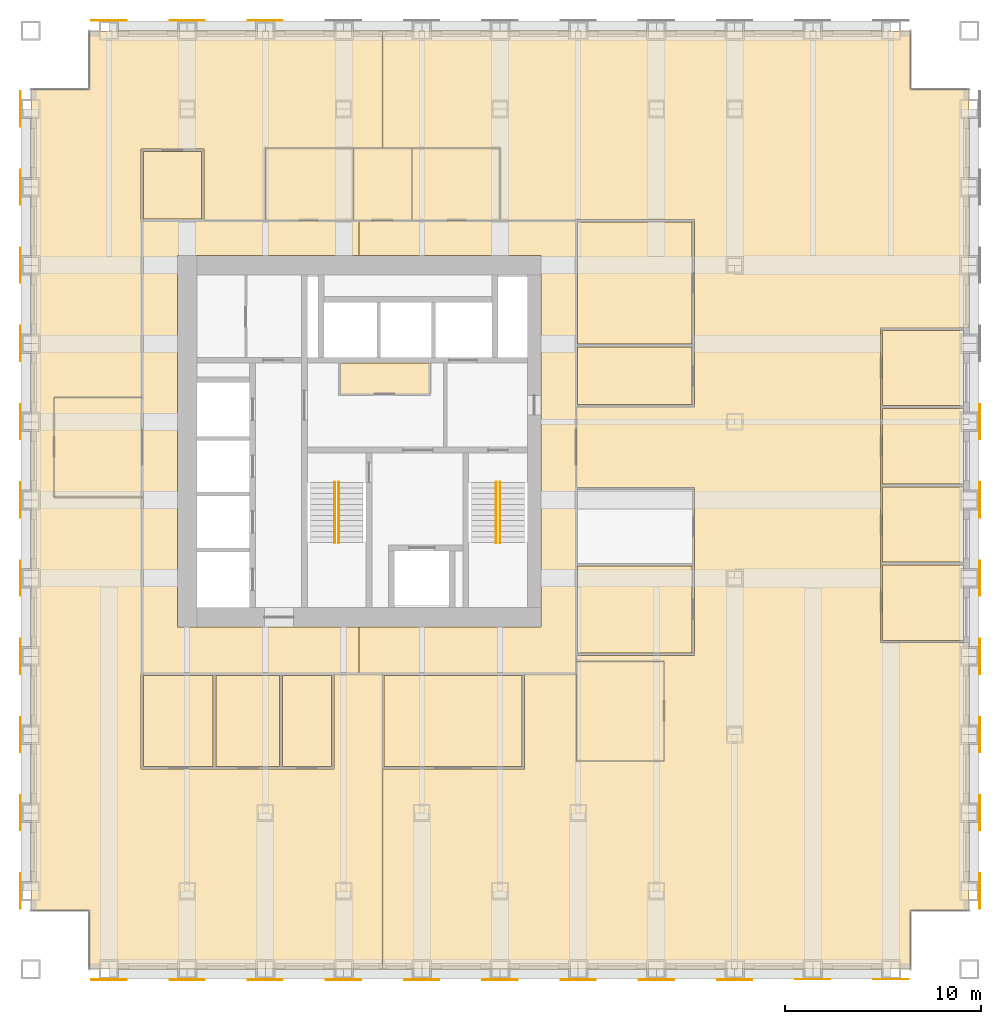
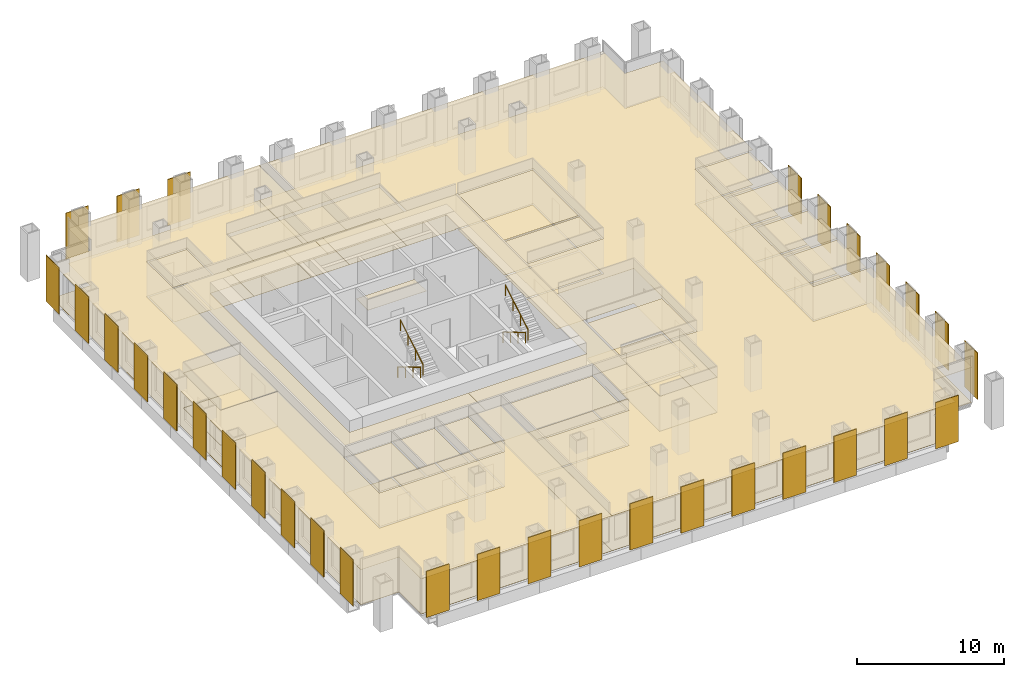
# One storey, part 15 of 16: 41 coverings, 32 shading devices, 4 railings.
"""IFC4 building model written with IfcOpenShell, lengths in metres."""

from ifc_helpers import new_model, si_unit, direction, frame, origin, origin_2d, place, context, subcontext, project, spatial, polyline, rectangle, circle, outline, extrude, material, layer, layer_set, type_object, element, save


model = new_model("IFC4")

# Units and contexts
model_context = context("Model", 3, precision=1e-05, world=origin(), true_north=direction((0.0, 1.0)))
body_context = subcontext(model_context, "Body", "Model", "MODEL_VIEW")
ifc_project = project(units=[si_unit("LENGTHUNIT", "METRE"), si_unit("AREAUNIT", "SQUARE_METRE"), si_unit("VOLUMEUNIT", "CUBIC_METRE"), si_unit("PLANEANGLEUNIT", "RADIAN"), si_unit("MASSUNIT", "GRAM", prefix="KILO")], contexts=[model_context])

# Site, building, storey
site_placement = place(None, origin())
site = spatial("IfcSite", under=ifc_project, at=site_placement, CompositionType="ELEMENT")
building_placement = place(site_placement, origin())
building = spatial("IfcBuilding", under=site, at=building_placement, Name="Rimbunsela Tower", CompositionType="ELEMENT")
storey_placement = place(building_placement, frame((0.0, 0.0, 81.39990234375)))
storey = spatial("IfcBuildingStorey", under=building, at=storey_placement, Name="L19", CompositionType="ELEMENT", Elevation=81.39990234375)

# Coverings
ifc_material_1 = material(Name="Nylon carpet tile", Category="textile")
ifc_layer_1 = layer(ifc_material_1, 0.010009765625)
ifc_layer_set_1 = layer_set([ifc_layer_1], Name="Carpet tile 10")
covering_type_1 = type_object("IfcCoveringType", Name="Carpet tile 10", PredefinedType="FLOORING", material=ifc_layer_set_1)
covering_1_placement = place(storey_placement, origin())
element("IfcCovering", 1, at=covering_1_placement, inside=storey, type_object=covering_type_1, Name="Floor finish Open office", PredefinedType="FLOORING", context=body_context, shape_type="SweptSolid", body=[
    extrude(outline(polyline([(19.449951171875, 10.25), (22.75, 10.25), (22.85009765625, 10.25), (25.5, 10.25), (25.5, 15.10009765625), (27.9990234375, 15.10009765625), (27.9990234375, 0.0), (15.699951171875, 0.0), (13.0, 0.0), (13.0, 3.0), (10.0, 3.0), (10.0, 45.0), (13.0, 45.0), (13.0, 48.0), (15.699951171875, 48.0), (27.9990234375, 48.0), (27.9990234375, 42.0), (22.0, 42.0), (22.0, 38.300048828125), (18.85009765625, 38.300048828125), (18.85009765625, 41.949951171875), (15.699951171875, 41.949951171875), (15.64990234375, 41.949951171875), (15.64990234375, 38.25), (15.699951171875, 38.25), (15.699951171875, 29.25), (11.199951171875, 29.25), (11.199951171875, 24.14990234375), (15.699951171875, 24.14990234375), (15.699951171875, 15.14990234375), (15.64990234375, 15.14990234375), (15.64990234375, 10.25), (15.699951171875, 10.25), (19.35009765625, 10.25), (19.449951171875, 10.25)])), origin(), (0.0, 0.0, 1.0), 0.010009765625),
])
covering_2_placement = place(storey_placement, origin())
element("IfcCovering", 2, at=covering_2_placement, inside=storey, type_object=covering_type_1, Name="Floor finish Open office", PredefinedType="FLOORING", context=body_context, shape_type="SweptSolid", body=[
    extrude(outline(polyline([(37.89990234375, 10.64990234375), (42.39990234375, 10.64990234375), (42.39990234375, 15.75), (37.89990234375, 15.75), (37.89990234375, 16.050048828125), (43.949951171875, 16.050048828125), (43.949951171875, 20.64990234375), (43.949951171875, 20.75), (43.949951171875, 24.64990234375), (37.89990234375, 24.64990234375), (37.89990234375, 28.75), (43.949951171875, 28.75), (43.949951171875, 31.85009765625), (43.949951171875, 31.949951171875), (43.949951171875, 38.35009765625), (37.89990234375, 38.35009765625), (37.85009765625, 38.35009765625), (37.85009765625, 38.300048828125), (34.0, 38.300048828125), (34.0, 42.0), (28.0009765625, 42.0), (28.0009765625, 48.0), (37.89990234375, 48.0), (55.0, 48.0), (55.0, 45.0), (58.0, 45.0), (58.0, 32.800048828125), (53.449951171875, 32.800048828125), (53.449951171875, 28.800048828125), (53.449951171875, 28.699951171875), (53.449951171875, 24.800048828125), (53.449951171875, 24.699951171875), (53.449951171875, 20.800048828125), (53.449951171875, 20.699951171875), (53.449951171875, 16.699951171875), (58.0, 16.699951171875), (58.0, 3.0), (55.0, 3.0), (55.0, 0.0), (37.89990234375, 0.0), (28.0009765625, 0.0), (28.0009765625, 10.25), (35.2509765625, 10.25), (35.2509765625, 15.10009765625), (37.89990234375, 15.10009765625), (37.89990234375, 10.64990234375)])), origin(), (0.0, 0.0, 1.0), 0.010009765625),
])
covering_3_placement = place(storey_placement, origin())
element("IfcCovering", 3, at=covering_3_placement, inside=storey, type_object=covering_type_1, Name="Floor finish Reception", PredefinedType="FLOORING", context=body_context, shape_type="SweptSolid", body=[
    extrude(outline(polyline([(15.699951171875, 24.14990234375), (15.699951171875, 29.25), (11.199951171875, 29.25), (11.199951171875, 24.14990234375), (15.699951171875, 24.14990234375)])), origin(), (0.0, 0.0, 1.0), 0.010009765625),
])
covering_4_placement = place(storey_placement, origin())
element("IfcCovering", 4, at=covering_4_placement, inside=storey, type_object=covering_type_1, Name="Floor finish Reception", PredefinedType="FLOORING", context=body_context, shape_type="SweptSolid", body=[
    extrude(outline(polyline([(42.39990234375, 10.64990234375), (42.39990234375, 15.75), (37.89990234375, 15.75), (37.89990234375, 10.64990234375), (42.39990234375, 10.64990234375)])), origin(), (0.0, 0.0, 1.0), 0.010009765625),
])
covering_5_placement = place(storey_placement, origin())
element("IfcCovering", 5, at=covering_5_placement, inside=storey, type_object=covering_type_1, Name="Floor finish Executive office", PredefinedType="FLOORING", context=body_context, shape_type="SweptSolid", body=[
    extrude(outline(polyline([(57.699951171875, 16.824951171875), (57.699951171875, 20.675048828125), (53.574951171875, 20.675048828125), (53.574951171875, 16.824951171875), (57.699951171875, 16.824951171875)])), origin(), (0.0, 0.0, 1.0), 0.010009765625),
])
covering_6_placement = place(storey_placement, origin())
element("IfcCovering", 6, at=covering_6_placement, inside=storey, type_object=covering_type_1, Name="Floor finish Executive office", PredefinedType="FLOORING", context=body_context, shape_type="SweptSolid", body=[
    extrude(outline(polyline([(57.699951171875, 20.824951171875), (57.699951171875, 24.675048828125), (53.574951171875, 24.675048828125), (53.574951171875, 20.824951171875), (57.699951171875, 20.824951171875)])), origin(), (0.0, 0.0, 1.0), 0.010009765625),
])
covering_7_placement = place(storey_placement, origin())
element("IfcCovering", 7, at=covering_7_placement, inside=storey, type_object=covering_type_1, Name="Floor finish Executive office", PredefinedType="FLOORING", context=body_context, shape_type="SweptSolid", body=[
    extrude(outline(polyline([(57.699951171875, 24.824951171875), (57.699951171875, 28.675048828125), (53.574951171875, 28.675048828125), (53.574951171875, 24.824951171875), (57.699951171875, 24.824951171875)])), origin(), (0.0, 0.0, 1.0), 0.010009765625),
])
covering_8_placement = place(storey_placement, origin())
element("IfcCovering", 8, at=covering_8_placement, inside=storey, type_object=covering_type_1, Name="Floor finish Executive office", PredefinedType="FLOORING", context=body_context, shape_type="SweptSolid", body=[
    extrude(outline(polyline([(57.699951171875, 28.824951171875), (57.699951171875, 32.675048828125), (53.574951171875, 32.675048828125), (53.574951171875, 28.824951171875), (57.699951171875, 28.824951171875)])), origin(), (0.0, 0.0, 1.0), 0.010009765625),
])
covering_9_placement = place(storey_placement, origin())
element("IfcCovering", 9, at=covering_9_placement, inside=storey, type_object=covering_type_1, Name="Floor finish Meeting room", PredefinedType="FLOORING", context=body_context, shape_type="SweptSolid", body=[
    extrude(outline(polyline([(19.324951171875, 10.375), (19.324951171875, 15.02490234375), (15.77490234375, 15.02490234375), (15.77490234375, 10.375), (19.324951171875, 10.375)])), origin(), (0.0, 0.0, 1.0), 0.010009765625),
])
covering_10_placement = place(storey_placement, origin())
element("IfcCovering", 10, at=covering_10_placement, inside=storey, type_object=covering_type_1, Name="Floor finish Pantry", PredefinedType="FLOORING", context=body_context, shape_type="SweptSolid", body=[
    extrude(outline(polyline([(22.72509765625, 10.375), (22.72509765625, 15.02490234375), (19.47509765625, 15.02490234375), (19.47509765625, 10.375), (22.72509765625, 10.375)])), origin(), (0.0, 0.0, 1.0), 0.010009765625),
])
covering_11_placement = place(storey_placement, origin())
element("IfcCovering", 11, at=covering_11_placement, inside=storey, type_object=covering_type_1, Name="Floor finish Print and copy room", PredefinedType="FLOORING", context=body_context, shape_type="SweptSolid", body=[
    extrude(outline(polyline([(25.375, 10.375), (25.375, 15.02490234375), (22.875, 15.02490234375), (22.875, 10.375), (25.375, 10.375)])), origin(), (0.0, 0.0, 1.0), 0.010009765625),
])
covering_12_placement = place(storey_placement, origin())
element("IfcCovering", 12, at=covering_12_placement, inside=storey, type_object=covering_type_1, Name="Floor finish Office", PredefinedType="FLOORING", context=body_context, shape_type="SweptSolid", body=[
    extrude(outline(polyline([(18.72509765625, 38.375), (18.72509765625, 41.824951171875), (15.77490234375, 41.824951171875), (15.77490234375, 38.375), (18.72509765625, 38.375)])), origin(), (0.0, 0.0, 1.0), 0.010009765625),
])
covering_13_placement = place(storey_placement, origin())
element("IfcCovering", 13, at=covering_13_placement, inside=storey, type_object=covering_type_1, Name="Floor finish Boardroom", PredefinedType="FLOORING", context=body_context, shape_type="SweptSolid", body=[
    extrude(outline(polyline([(35.1259765625, 10.375), (35.1259765625, 15.02490234375), (28.075927734375, 15.02490234375), (28.075927734375, 10.375), (35.1259765625, 10.375)])), origin(), (0.0, 0.0, 1.0), 0.010009765625),
])
covering_14_placement = place(storey_placement, origin())
element("IfcCovering", 14, at=covering_14_placement, inside=storey, type_object=covering_type_1, Name="Floor finish Pantry", PredefinedType="FLOORING", context=body_context, shape_type="SweptSolid", body=[
    extrude(outline(polyline([(43.824951171875, 16.175048828125), (43.824951171875, 20.625), (37.97509765625, 20.625), (37.97509765625, 16.175048828125), (43.824951171875, 16.175048828125)])), origin(), (0.0, 0.0, 1.0), 0.010009765625),
])
covering_15_placement = place(storey_placement, origin())
element("IfcCovering", 15, at=covering_15_placement, inside=storey, type_object=covering_type_1, Name="Floor finish Office", PredefinedType="FLOORING", context=body_context, shape_type="SweptSolid", body=[
    extrude(outline(polyline([(43.824951171875, 28.875), (43.824951171875, 31.824951171875), (37.97509765625, 31.824951171875), (37.97509765625, 28.875), (43.824951171875, 28.875)])), origin(), (0.0, 0.0, 1.0), 0.010009765625),
])
covering_16_placement = place(storey_placement, origin())
element("IfcCovering", 16, at=covering_16_placement, inside=storey, type_object=covering_type_1, Name="Floor finish Meeting room", PredefinedType="FLOORING", context=body_context, shape_type="SweptSolid", body=[
    extrude(outline(polyline([(43.824951171875, 31.97509765625), (43.824951171875, 38.22509765625), (37.97509765625, 38.22509765625), (37.97509765625, 31.97509765625), (43.824951171875, 31.97509765625)])), origin(), (0.0, 0.0, 1.0), 0.010009765625),
])
ifc_material_2 = material(Name="Mineral fibre ceiling tile", Category="gypsum")
ifc_layer_2 = layer(ifc_material_2, 0.02001953125)
ifc_layer_set_2 = layer_set([ifc_layer_2], Name="Ceiling 600 grid")
covering_type_2 = type_object("IfcCoveringType", Name="Ceiling 600 grid", PredefinedType="CEILING", material=ifc_layer_set_2)
covering_17_placement = place(storey_placement, frame((0.0, 0.0, 2.900146484375)))
element("IfcCovering", 17, at=covering_17_placement, inside=storey, type_object=covering_type_2, Name="Ceiling Staff pantry", PredefinedType="CEILING", context=body_context, shape_type="SweptSolid", body=[
    extrude(outline(polyline([(30.39990234375, 29.39990234375), (30.39990234375, 31.0), (25.800048828125, 31.0), (25.800048828125, 29.39990234375), (30.39990234375, 29.39990234375)])), origin(), (0.0, 0.0, 1.0), 0.02001953125),
])
covering_18_placement = place(storey_placement, frame((0.0, 0.0, 2.900146484375)))
element("IfcCovering", 18, at=covering_18_placement, inside=storey, type_object=covering_type_2, Name="Ceiling Ring corridor", PredefinedType="CEILING", context=body_context, shape_type="SweptSolid", body=[
    extrude(outline(polyline([(15.699951171875, 38.300048828125), (26.800048828125, 38.300048828125), (26.800048828125, 36.5), (17.5, 36.5), (17.5, 17.5), (26.800048828125, 17.5), (26.800048828125, 15.10009765625), (15.699951171875, 15.10009765625), (15.699951171875, 38.300048828125)])), origin(), (0.0, 0.0, 1.0), 0.02001953125),
])
covering_19_placement = place(storey_placement, frame((0.0, 0.0, 2.900146484375)))
element("IfcCovering", 19, at=covering_19_placement, inside=storey, type_object=covering_type_2, Name="Ceiling Ring corridor", PredefinedType="CEILING", context=body_context, shape_type="SweptSolid", body=[
    extrude(outline(polyline([(37.89990234375, 38.300048828125), (37.89990234375, 15.10009765625), (26.800048828125, 15.10009765625), (26.800048828125, 17.5), (36.10009765625, 17.5), (36.10009765625, 36.5), (26.800048828125, 36.5), (26.800048828125, 38.300048828125), (37.89990234375, 38.300048828125)])), origin(), (0.0, 0.0, 1.0), 0.02001953125),
])
covering_20_placement = place(storey_placement, frame((0.0, 0.0, 2.900146484375)))
element("IfcCovering", 20, at=covering_20_placement, inside=storey, type_object=covering_type_2, Name="Ceiling Open office", PredefinedType="CEILING", context=body_context, shape_type="SweptSolid", body=[
    extrude(outline(polyline([(19.449951171875, 10.25), (22.75, 10.25), (22.85009765625, 10.25), (25.5, 10.25), (25.5, 15.10009765625), (27.9990234375, 15.10009765625), (27.9990234375, 0.0), (15.699951171875, 0.0), (13.0, 0.0), (13.0, 3.0), (10.0, 3.0), (10.0, 45.0), (13.0, 45.0), (13.0, 48.0), (15.699951171875, 48.0), (27.9990234375, 48.0), (27.9990234375, 42.0), (22.0, 42.0), (22.0, 38.300048828125), (18.85009765625, 38.300048828125), (18.85009765625, 41.949951171875), (15.699951171875, 41.949951171875), (15.64990234375, 41.949951171875), (15.64990234375, 38.25), (15.699951171875, 38.25), (15.699951171875, 29.25), (11.199951171875, 29.25), (11.199951171875, 24.14990234375), (15.699951171875, 24.14990234375), (15.699951171875, 15.14990234375), (15.64990234375, 15.14990234375), (15.64990234375, 10.25), (15.699951171875, 10.25), (19.35009765625, 10.25), (19.449951171875, 10.25)])), origin(), (0.0, 0.0, 1.0), 0.02001953125),
])
covering_21_placement = place(storey_placement, frame((0.0, 0.0, 2.900146484375)))
element("IfcCovering", 21, at=covering_21_placement, inside=storey, type_object=covering_type_2, Name="Ceiling Open office", PredefinedType="CEILING", context=body_context, shape_type="SweptSolid", body=[
    extrude(outline(polyline([(37.89990234375, 10.64990234375), (42.39990234375, 10.64990234375), (42.39990234375, 15.75), (37.89990234375, 15.75), (37.89990234375, 16.050048828125), (43.949951171875, 16.050048828125), (43.949951171875, 20.64990234375), (43.949951171875, 20.75), (43.949951171875, 24.64990234375), (37.89990234375, 24.64990234375), (37.89990234375, 28.75), (43.949951171875, 28.75), (43.949951171875, 31.85009765625), (43.949951171875, 31.949951171875), (43.949951171875, 38.35009765625), (37.89990234375, 38.35009765625), (37.85009765625, 38.35009765625), (37.85009765625, 38.300048828125), (34.0, 38.300048828125), (34.0, 42.0), (28.0009765625, 42.0), (28.0009765625, 48.0), (37.89990234375, 48.0), (55.0, 48.0), (55.0, 45.0), (58.0, 45.0), (58.0, 32.800048828125), (53.449951171875, 32.800048828125), (53.449951171875, 28.800048828125), (53.449951171875, 28.699951171875), (53.449951171875, 24.800048828125), (53.449951171875, 24.699951171875), (53.449951171875, 20.800048828125), (53.449951171875, 20.699951171875), (53.449951171875, 16.699951171875), (58.0, 16.699951171875), (58.0, 3.0), (55.0, 3.0), (55.0, 0.0), (37.89990234375, 0.0), (28.0009765625, 0.0), (28.0009765625, 10.25), (35.2509765625, 10.25), (35.2509765625, 15.10009765625), (37.89990234375, 15.10009765625), (37.89990234375, 10.64990234375)])), origin(), (0.0, 0.0, 1.0), 0.02001953125),
])
covering_22_placement = place(storey_placement, frame((0.0, 0.0, 2.900146484375)))
element("IfcCovering", 22, at=covering_22_placement, inside=storey, type_object=covering_type_2, Name="Ceiling Reception", PredefinedType="CEILING", context=body_context, shape_type="SweptSolid", body=[
    extrude(outline(polyline([(15.699951171875, 24.14990234375), (15.699951171875, 29.25), (11.199951171875, 29.25), (11.199951171875, 24.14990234375), (15.699951171875, 24.14990234375)])), origin(), (0.0, 0.0, 1.0), 0.02001953125),
])
covering_23_placement = place(storey_placement, frame((0.0, 0.0, 2.900146484375)))
element("IfcCovering", 23, at=covering_23_placement, inside=storey, type_object=covering_type_2, Name="Ceiling Reception", PredefinedType="CEILING", context=body_context, shape_type="SweptSolid", body=[
    extrude(outline(polyline([(42.39990234375, 10.64990234375), (42.39990234375, 15.75), (37.89990234375, 15.75), (37.89990234375, 10.64990234375), (42.39990234375, 10.64990234375)])), origin(), (0.0, 0.0, 1.0), 0.02001953125),
])
covering_24_placement = place(storey_placement, frame((0.0, 0.0, 2.900146484375)))
element("IfcCovering", 24, at=covering_24_placement, inside=storey, type_object=covering_type_2, Name="Ceiling Executive office", PredefinedType="CEILING", context=body_context, shape_type="SweptSolid", body=[
    extrude(outline(polyline([(57.699951171875, 16.824951171875), (57.699951171875, 20.675048828125), (53.574951171875, 20.675048828125), (53.574951171875, 16.824951171875), (57.699951171875, 16.824951171875)])), origin(), (0.0, 0.0, 1.0), 0.02001953125),
])
covering_25_placement = place(storey_placement, frame((0.0, 0.0, 2.900146484375)))
element("IfcCovering", 25, at=covering_25_placement, inside=storey, type_object=covering_type_2, Name="Ceiling Executive office", PredefinedType="CEILING", context=body_context, shape_type="SweptSolid", body=[
    extrude(outline(polyline([(57.699951171875, 20.824951171875), (57.699951171875, 24.675048828125), (53.574951171875, 24.675048828125), (53.574951171875, 20.824951171875), (57.699951171875, 20.824951171875)])), origin(), (0.0, 0.0, 1.0), 0.02001953125),
])
covering_26_placement = place(storey_placement, frame((0.0, 0.0, 2.900146484375)))
element("IfcCovering", 26, at=covering_26_placement, inside=storey, type_object=covering_type_2, Name="Ceiling Executive office", PredefinedType="CEILING", context=body_context, shape_type="SweptSolid", body=[
    extrude(outline(polyline([(57.699951171875, 24.824951171875), (57.699951171875, 28.675048828125), (53.574951171875, 28.675048828125), (53.574951171875, 24.824951171875), (57.699951171875, 24.824951171875)])), origin(), (0.0, 0.0, 1.0), 0.02001953125),
])
covering_27_placement = place(storey_placement, frame((0.0, 0.0, 2.900146484375)))
element("IfcCovering", 27, at=covering_27_placement, inside=storey, type_object=covering_type_2, Name="Ceiling Executive office", PredefinedType="CEILING", context=body_context, shape_type="SweptSolid", body=[
    extrude(outline(polyline([(57.699951171875, 28.824951171875), (57.699951171875, 32.675048828125), (53.574951171875, 32.675048828125), (53.574951171875, 28.824951171875), (57.699951171875, 28.824951171875)])), origin(), (0.0, 0.0, 1.0), 0.02001953125),
])
covering_28_placement = place(storey_placement, frame((0.0, 0.0, 2.900146484375)))
element("IfcCovering", 28, at=covering_28_placement, inside=storey, type_object=covering_type_2, Name="Ceiling Meeting room", PredefinedType="CEILING", context=body_context, shape_type="SweptSolid", body=[
    extrude(outline(polyline([(19.324951171875, 10.375), (19.324951171875, 15.02490234375), (15.77490234375, 15.02490234375), (15.77490234375, 10.375), (19.324951171875, 10.375)])), origin(), (0.0, 0.0, 1.0), 0.02001953125),
])
covering_29_placement = place(storey_placement, frame((0.0, 0.0, 2.900146484375)))
element("IfcCovering", 29, at=covering_29_placement, inside=storey, type_object=covering_type_2, Name="Ceiling Pantry", PredefinedType="CEILING", context=body_context, shape_type="SweptSolid", body=[
    extrude(outline(polyline([(22.72509765625, 10.375), (22.72509765625, 15.02490234375), (19.47509765625, 15.02490234375), (19.47509765625, 10.375), (22.72509765625, 10.375)])), origin(), (0.0, 0.0, 1.0), 0.02001953125),
])
covering_30_placement = place(storey_placement, frame((0.0, 0.0, 2.900146484375)))
element("IfcCovering", 30, at=covering_30_placement, inside=storey, type_object=covering_type_2, Name="Ceiling Print and copy room", PredefinedType="CEILING", context=body_context, shape_type="SweptSolid", body=[
    extrude(outline(polyline([(25.375, 10.375), (25.375, 15.02490234375), (22.875, 15.02490234375), (22.875, 10.375), (25.375, 10.375)])), origin(), (0.0, 0.0, 1.0), 0.02001953125),
])
covering_31_placement = place(storey_placement, frame((0.0, 0.0, 2.900146484375)))
element("IfcCovering", 31, at=covering_31_placement, inside=storey, type_object=covering_type_2, Name="Ceiling Office", PredefinedType="CEILING", context=body_context, shape_type="SweptSolid", body=[
    extrude(outline(polyline([(18.72509765625, 38.375), (18.72509765625, 41.824951171875), (15.77490234375, 41.824951171875), (15.77490234375, 38.375), (18.72509765625, 38.375)])), origin(), (0.0, 0.0, 1.0), 0.02001953125),
])
covering_32_placement = place(storey_placement, frame((0.0, 0.0, 2.900146484375)))
element("IfcCovering", 32, at=covering_32_placement, inside=storey, type_object=covering_type_2, Name="Ceiling Boardroom", PredefinedType="CEILING", context=body_context, shape_type="SweptSolid", body=[
    extrude(outline(polyline([(35.1259765625, 10.375), (35.1259765625, 15.02490234375), (28.075927734375, 15.02490234375), (28.075927734375, 10.375), (35.1259765625, 10.375)])), origin(), (0.0, 0.0, 1.0), 0.02001953125),
])
covering_33_placement = place(storey_placement, frame((0.0, 0.0, 2.900146484375)))
element("IfcCovering", 33, at=covering_33_placement, inside=storey, type_object=covering_type_2, Name="Ceiling Pantry", PredefinedType="CEILING", context=body_context, shape_type="SweptSolid", body=[
    extrude(outline(polyline([(43.824951171875, 16.175048828125), (43.824951171875, 20.625), (37.97509765625, 20.625), (37.97509765625, 16.175048828125), (43.824951171875, 16.175048828125)])), origin(), (0.0, 0.0, 1.0), 0.02001953125),
])
covering_34_placement = place(storey_placement, frame((0.0, 0.0, 2.900146484375)))
element("IfcCovering", 34, at=covering_34_placement, inside=storey, type_object=covering_type_2, Name="Ceiling Office", PredefinedType="CEILING", context=body_context, shape_type="SweptSolid", body=[
    extrude(outline(polyline([(43.824951171875, 28.875), (43.824951171875, 31.824951171875), (37.97509765625, 31.824951171875), (37.97509765625, 28.875), (43.824951171875, 28.875)])), origin(), (0.0, 0.0, 1.0), 0.02001953125),
])
covering_35_placement = place(storey_placement, frame((0.0, 0.0, 2.900146484375)))
element("IfcCovering", 35, at=covering_35_placement, inside=storey, type_object=covering_type_2, Name="Ceiling Meeting room", PredefinedType="CEILING", context=body_context, shape_type="SweptSolid", body=[
    extrude(outline(polyline([(43.824951171875, 31.97509765625), (43.824951171875, 38.22509765625), (37.97509765625, 38.22509765625), (37.97509765625, 31.97509765625), (43.824951171875, 31.97509765625)])), origin(), (0.0, 0.0, 1.0), 0.02001953125),
])
ifc_material_3 = material(Name="Moisture-resistant plasterboard ceiling", Category="gypsum")
ifc_layer_3 = layer(ifc_material_3, 0.012451171875)
ifc_layer_set_3 = layer_set([ifc_layer_3], Name="Ceiling moisture-resistant board")
covering_type_3 = type_object("IfcCoveringType", Name="Ceiling moisture-resistant board", PredefinedType="CEILING", material=ifc_layer_set_3)
covering_36_placement = place(storey_placement, frame((0.0, 0.0, 2.60009765625)))
element("IfcCovering", 36, at=covering_36_placement, inside=storey, type_object=covering_type_3, Name="Ceiling Female WC", PredefinedType="CEILING", context=body_context, shape_type="SweptSolid", body=[
    extrude(outline(polyline([(26.5, 38.300048828125), (26.5, 42.0), (22.0, 42.0), (22.0, 38.300048828125), (26.5, 38.300048828125)])), origin(), (0.0, 0.0, 1.0), 0.02001953125),
])
covering_37_placement = place(storey_placement, frame((0.0, 0.0, 2.60009765625)))
element("IfcCovering", 37, at=covering_37_placement, inside=storey, type_object=covering_type_3, Name="Ceiling Accessible WC", PredefinedType="CEILING", context=body_context, shape_type="SweptSolid", body=[
    extrude(outline(polyline([(29.5, 38.300048828125), (29.5, 42.0), (26.5, 42.0), (26.5, 38.300048828125), (29.5, 38.300048828125)])), origin(), (0.0, 0.0, 1.0), 0.02001953125),
])
covering_38_placement = place(storey_placement, frame((0.0, 0.0, 2.60009765625)))
element("IfcCovering", 38, at=covering_38_placement, inside=storey, type_object=covering_type_3, Name="Ceiling Male WC", PredefinedType="CEILING", context=body_context, shape_type="SweptSolid", body=[
    extrude(outline(polyline([(34.0, 38.300048828125), (34.0, 42.0), (29.5, 42.0), (29.5, 38.300048828125), (34.0, 38.300048828125)])), origin(), (0.0, 0.0, 1.0), 0.02001953125),
])
ifc_material_4 = material(Name="Porcelain floor tile in adhesive bed", Category="ceramic")
ifc_layer_4 = layer(ifc_material_4, 0.02001953125)
ifc_layer_set_4 = layer_set([ifc_layer_4], Name="Porcelain tile 20")
covering_type_4 = type_object("IfcCoveringType", Name="Porcelain tile 20", PredefinedType="FLOORING", material=ifc_layer_set_4)
covering_39_placement = place(storey_placement, origin())
element("IfcCovering", 39, at=covering_39_placement, inside=storey, type_object=covering_type_4, Name="Floor finish Female WC", PredefinedType="FLOORING", context=body_context, shape_type="SweptSolid", body=[
    extrude(outline(polyline([(26.5, 38.300048828125), (26.5, 42.0), (22.0, 42.0), (22.0, 38.300048828125), (26.5, 38.300048828125)])), origin(), (0.0, 0.0, 1.0), 0.02001953125),
])
covering_40_placement = place(storey_placement, origin())
element("IfcCovering", 40, at=covering_40_placement, inside=storey, type_object=covering_type_4, Name="Floor finish Accessible WC", PredefinedType="FLOORING", context=body_context, shape_type="SweptSolid", body=[
    extrude(outline(polyline([(29.5, 38.300048828125), (29.5, 42.0), (26.5, 42.0), (26.5, 38.300048828125), (29.5, 38.300048828125)])), origin(), (0.0, 0.0, 1.0), 0.02001953125),
])
covering_41_placement = place(storey_placement, origin())
element("IfcCovering", 41, at=covering_41_placement, inside=storey, type_object=covering_type_4, Name="Floor finish Male WC", PredefinedType="FLOORING", context=body_context, shape_type="SweptSolid", body=[
    extrude(outline(polyline([(34.0, 38.300048828125), (34.0, 42.0), (29.5, 42.0), (29.5, 38.300048828125), (34.0, 38.300048828125)])), origin(), (0.0, 0.0, 1.0), 0.02001953125),
])

# Shading devices
ifc_material_5 = material(Name="Perforated aluminium, 35 % open area", Category="aluminium")
ifc_layer_5 = layer(ifc_material_5, 0.050048828125)
ifc_layer_set_5 = layer_set([ifc_layer_5], Name="Solar screen panel 1800")
shading_device_type = type_object("IfcShadingDeviceType", Name="Solar screen panel 1800", PredefinedType="USERDEFINED", material=ifc_layer_set_5)
for number, where, z_axis, x_axis, name in (
    (42, (14.0, -0.52490234375, 0.0), (0.0, 0.0, 1.0), (1.0, 0.0, 0.0), "Solar screen S L19"),
    (43, (18.0, -0.52490234375, 0.0), (0.0, 0.0, 1.0), (1.0, 0.0, 0.0), "Solar screen S L19"),
    (44, (22.0, -0.52490234375, 0.0), (0.0, 0.0, 1.0), (1.0, 0.0, 0.0), "Solar screen S L19"),
    (45, (26.0, -0.52490234375, 0.0), (0.0, 0.0, 1.0), (1.0, 0.0, 0.0), "Solar screen S L19"),
    (46, (30.0, -0.52490234375, 0.0), (0.0, 0.0, 1.0), (1.0, 0.0, 0.0), "Solar screen S L19"),
    (47, (34.0, -0.52490234375, 0.0), (0.0, 0.0, 1.0), (1.0, 0.0, 0.0), "Solar screen S L19"),
    (48, (38.0, -0.52490234375, 0.0), (0.0, 0.0, 1.0), (1.0, 0.0, 0.0), "Solar screen S L19"),
    (49, (42.0, -0.52490234375, 0.0), (0.0, 0.0, 1.0), (1.0, 0.0, 0.0), "Solar screen S L19"),
    (50, (46.0, -0.52490234375, 0.0), (0.0, 0.0, 1.0), (1.0, 0.0, 0.0), "Solar screen S L19"),
    (51, (50.0, -0.52490234375, 0.0), (0.0, 0.0, 1.0), (1.0, 0.0, 0.0), "Solar screen S L19"),
    (52, (54.0, -0.52490234375, 0.0), (0.0, 0.0, 1.0), (1.0, 0.0, 0.0), "Solar screen S L19"),
    (53, (58.52490234375, 4.0, 0.0), (0.0, 0.0, 1.0), (0.0, 1.0, 0.0), "Solar screen E L19"),
    (54, (58.52490234375, 8.0, 0.0), (0.0, 0.0, 1.0), (0.0, 1.0, 0.0), "Solar screen E L19"),
    (55, (58.52490234375, 12.0, 0.0), (0.0, 0.0, 1.0), (0.0, 1.0, 0.0), "Solar screen E L19"),
    (56, (58.52490234375, 16.0, 0.0), (0.0, 0.0, 1.0), (0.0, 1.0, 0.0), "Solar screen E L19"),
    (57, (58.52490234375, 20.0, 0.0), (0.0, 0.0, 1.0), (0.0, 1.0, 0.0), "Solar screen E L19"),
    (58, (58.52490234375, 24.0, 0.0), (0.0, 0.0, 1.0), (0.0, 1.0, 0.0), "Solar screen E L19"),
    (59, (58.52490234375, 28.0, 0.0), (0.0, 0.0, 1.0), (0.0, 1.0, 0.0), "Solar screen E L19"),
    (60, (14.0, 48.52490234375, 0.0), (0.0, 0.0, 1.0), (1.0, 0.0, 0.0), "Solar screen N L19"),
    (61, (18.0, 48.52490234375, 0.0), (0.0, 0.0, 1.0), (1.0, 0.0, 0.0), "Solar screen N L19"),
    (62, (22.0, 48.52490234375, 0.0), (0.0, 0.0, 1.0), (1.0, 0.0, 0.0), "Solar screen N L19"),
    (63, (9.47509765625, 4.0, 0.0), (0.0, 0.0, 1.0), (0.0, 1.0, 0.0), "Solar screen W L19"),
    (64, (9.47509765625, 8.0, 0.0), (0.0, 0.0, 1.0), (0.0, 1.0, 0.0), "Solar screen W L19"),
    (65, (9.47509765625, 12.0, 0.0), (0.0, 0.0, 1.0), (0.0, 1.0, 0.0), "Solar screen W L19"),
    (66, (9.47509765625, 16.0, 0.0), (0.0, 0.0, 1.0), (0.0, 1.0, 0.0), "Solar screen W L19"),
    (67, (9.47509765625, 20.0, 0.0), (0.0, 0.0, 1.0), (0.0, 1.0, 0.0), "Solar screen W L19"),
    (68, (9.47509765625, 24.0, 0.0), (0.0, 0.0, 1.0), (0.0, 1.0, 0.0), "Solar screen W L19"),
    (69, (9.47509765625, 28.0, 0.0), (0.0, 0.0, 1.0), (0.0, 1.0, 0.0), "Solar screen W L19"),
    (70, (9.47509765625, 32.0, 0.0), (0.0, 0.0, 1.0), (0.0, 1.0, 0.0), "Solar screen W L19"),
    (71, (9.47509765625, 36.0, 0.0), (0.0, 0.0, 1.0), (0.0, 1.0, 0.0), "Solar screen W L19"),
    (72, (9.47509765625, 40.0, 0.0), (0.0, 0.0, 1.0), (0.0, 1.0, 0.0), "Solar screen W L19"),
    (73, (9.47509765625, 44.0, 0.0), (0.0, 0.0, 1.0), (0.0, 1.0, 0.0), "Solar screen W L19"),
):
    element("IfcShadingDevice", number, at=place(storey_placement, frame(where, z_axis=z_axis, x_axis=x_axis)), inside=storey, type_object=shading_device_type, Name=name, ObjectType="SCREEN", PredefinedType="USERDEFINED", context=body_context, shape_type="SweptSolid", body=[
        extrude(rectangle(XDim=1.800048828125, YDim=0.050048828125, at=origin_2d()), origin(), (0.0, 0.0, 1.0), 3.85009765625),
    ])

# Railings
ifc_material_6 = material(Name="Stainless steel tube", Category="steel")
railing_type = type_object("IfcRailingType", Name="Stair handrail 900", PredefinedType="HANDRAIL", material=ifc_material_6)
railing_1_placement = place(storey_placement, frame((25.550048828125, 24.89990234375, 0.166748046875)))
element("IfcRailing", 74, at=railing_1_placement, inside=storey, type_object=railing_type, Name="Handrail ST-A flight 1", PredefinedType="HANDRAIL", context=body_context, shape_type="SweptSolid", body=[
    extrude(circle(Radius=0.02392578125, at=origin_2d()), frame((0.0, 0.0, 0.8759765625), z_axis=(0.0, -0.859290745958, 0.51148745235), x_axis=(1.0, 0.0, 0.0)), (0.0, 0.0, 1.0), 3.584228515625),
    extrude(circle(Radius=0.02099609375, at=origin_2d()), origin(), (0.0, 0.0, 1.0), 0.851806640625),
    extrude(circle(Radius=0.02099609375, at=origin_2d()), frame((0.0, -1.026611328125, 0.611083984375)), (0.0, 0.0, 1.0), 0.851806640625),
    extrude(circle(Radius=0.02099609375, at=origin_2d()), frame((0.0, -2.05322265625, 1.22216796875)), (0.0, 0.0, 1.0), 0.851806640625),
    extrude(circle(Radius=0.02099609375, at=origin_2d()), frame((0.0, -3.079833984375, 1.833251953125)), (0.0, 0.0, 1.0), 0.851806640625),
])
railing_2_placement = place(storey_placement, frame((25.75, 21.820068359375, 2.166748046875)))
element("IfcRailing", 75, at=railing_2_placement, inside=storey, type_object=railing_type, Name="Handrail ST-A flight 2", PredefinedType="HANDRAIL", context=body_context, shape_type="SweptSolid", body=[
    extrude(circle(Radius=0.02392578125, at=origin_2d()), frame((0.0, 0.0, 0.8759765625), z_axis=(0.0, 0.859290745958, 0.51148745235), x_axis=(-1.0, 0.0, 0.0)), (0.0, 0.0, 1.0), 3.584228515625),
    extrude(circle(Radius=0.02099609375, at=origin_2d()), origin(), (0.0, 0.0, 1.0), 0.851806640625),
    extrude(circle(Radius=0.02099609375, at=origin_2d()), frame((0.0, 1.026611328125, 0.611083984375)), (0.0, 0.0, 1.0), 0.851806640625),
    extrude(circle(Radius=0.02099609375, at=origin_2d()), frame((0.0, 2.05322265625, 1.22216796875)), (0.0, 0.0, 1.0), 0.851806640625),
    extrude(circle(Radius=0.02099609375, at=origin_2d()), frame((0.0, 3.079833984375, 1.833251953125)), (0.0, 0.0, 1.0), 0.851806640625),
])
railing_3_placement = place(storey_placement, frame((33.800048828125, 24.89990234375, 0.166748046875)))
element("IfcRailing", 76, at=railing_3_placement, inside=storey, type_object=railing_type, Name="Handrail ST-B flight 1", PredefinedType="HANDRAIL", context=body_context, shape_type="SweptSolid", body=[
    extrude(circle(Radius=0.02392578125, at=origin_2d()), frame((0.0, 0.0, 0.8759765625), z_axis=(0.0, -0.859290745958, 0.51148745235), x_axis=(1.0, 0.0, 0.0)), (0.0, 0.0, 1.0), 3.584228515625),
    extrude(circle(Radius=0.02099609375, at=origin_2d()), origin(), (0.0, 0.0, 1.0), 0.851806640625),
    extrude(circle(Radius=0.02099609375, at=origin_2d()), frame((0.0, -1.026611328125, 0.611083984375)), (0.0, 0.0, 1.0), 0.851806640625),
    extrude(circle(Radius=0.02099609375, at=origin_2d()), frame((0.0, -2.05322265625, 1.22216796875)), (0.0, 0.0, 1.0), 0.851806640625),
    extrude(circle(Radius=0.02099609375, at=origin_2d()), frame((0.0, -3.079833984375, 1.833251953125)), (0.0, 0.0, 1.0), 0.851806640625),
])
railing_4_placement = place(storey_placement, frame((34.0, 21.820068359375, 2.166748046875)))
element("IfcRailing", 77, at=railing_4_placement, inside=storey, type_object=railing_type, Name="Handrail ST-B flight 2", PredefinedType="HANDRAIL", context=body_context, shape_type="SweptSolid", body=[
    extrude(circle(Radius=0.02392578125, at=origin_2d()), frame((0.0, 0.0, 0.8759765625), z_axis=(0.0, 0.859290745958, 0.51148745235), x_axis=(-1.0, 0.0, 0.0)), (0.0, 0.0, 1.0), 3.584228515625),
    extrude(circle(Radius=0.02099609375, at=origin_2d()), origin(), (0.0, 0.0, 1.0), 0.851806640625),
    extrude(circle(Radius=0.02099609375, at=origin_2d()), frame((0.0, 1.026611328125, 0.611083984375)), (0.0, 0.0, 1.0), 0.851806640625),
    extrude(circle(Radius=0.02099609375, at=origin_2d()), frame((0.0, 2.05322265625, 1.22216796875)), (0.0, 0.0, 1.0), 0.851806640625),
    extrude(circle(Radius=0.02099609375, at=origin_2d()), frame((0.0, 3.079833984375, 1.833251953125)), (0.0, 0.0, 1.0), 0.851806640625),
])

save(model, "model.ifc")
